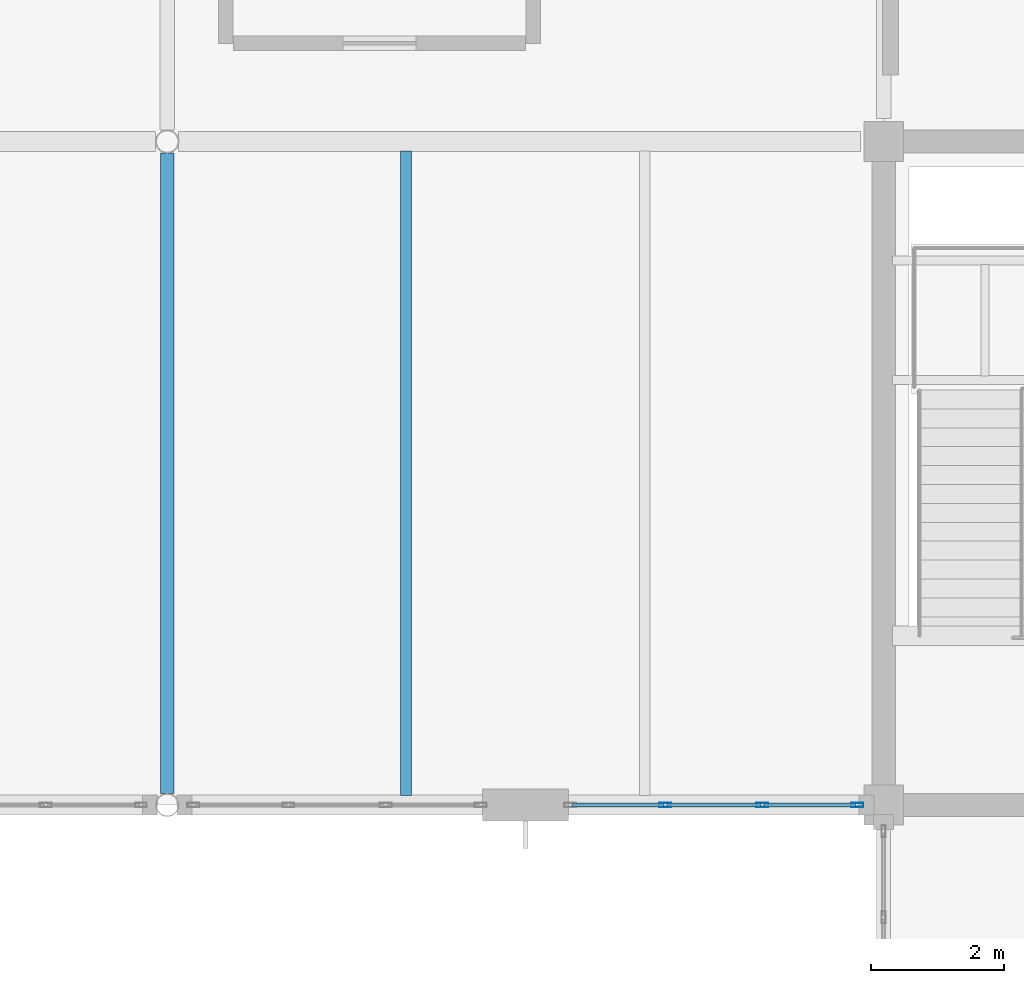
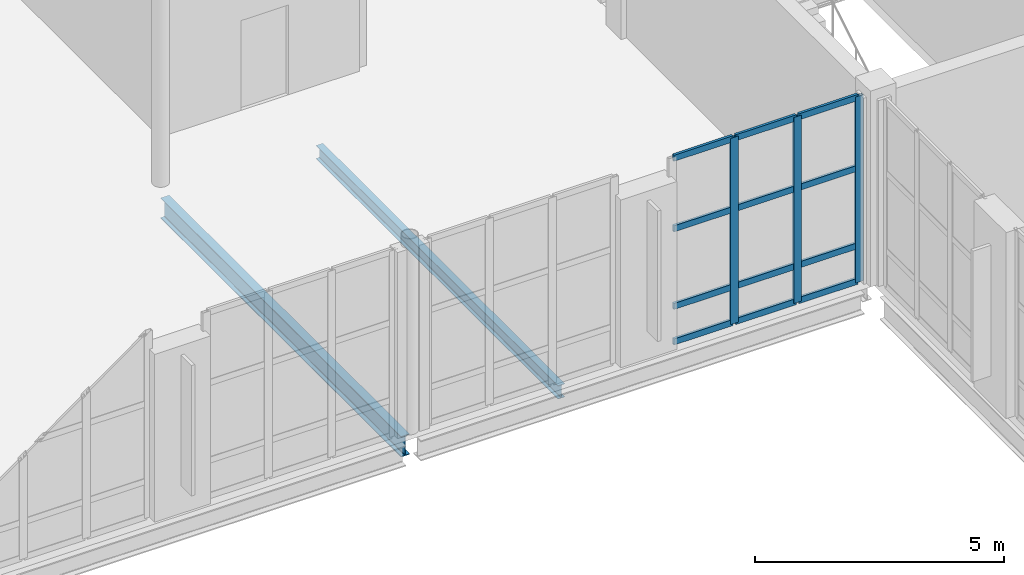
# One storey, part 34 of 100: 15 members, 2 beams, 1 element without a shape of its own.
"""IFC4 building model written with IfcOpenShell, lengths in metres."""

from ifc_helpers import new_model, si_unit, direction, frame, origin, origin_2d, place, context, subcontext, project, spatial, hollow_rectangle, i_section, extrude, material, layer, layer_set, material_profile, profile_set, type_object, element, aggregate, save


model = new_model("IFC4")

# Units and contexts
model_context = context("Model", 3, precision=1e-05, world=origin(), true_north=direction((0.0, 1.0)))
body_context = subcontext(model_context, "Body", "Model", "MODEL_VIEW")
ifc_project = project(units=[si_unit("LENGTHUNIT", "METRE"), si_unit("AREAUNIT", "SQUARE_METRE"), si_unit("VOLUMEUNIT", "CUBIC_METRE"), si_unit("PLANEANGLEUNIT", "RADIAN"), si_unit("MASSUNIT", "GRAM", prefix="KILO")], contexts=[model_context])

# Site, building, storey
site_placement = place(None, origin())
site = spatial("IfcSite", under=ifc_project, at=site_placement, CompositionType="ELEMENT")
building_placement = place(site_placement, origin())
building = spatial("IfcBuilding", under=site, at=building_placement, Name="Tasgan Crest Museum", CompositionType="ELEMENT")
storey_placement = place(building_placement, frame((0.0, 0.0, 9.60009765625)))
storey = spatial("IfcBuildingStorey", under=building, at=storey_placement, Name="L02", CompositionType="ELEMENT", Elevation=9.60009765625)

# Beams
ifc_material_1 = material(Name="Steel S355J2", Category="steel")
ifc_material_profile_1 = material_profile(ifc_material_1, i_section(OverallWidth=0.199951171875, OverallDepth=0.5, WebThickness=0.01025390625, FlangeThickness=0.01611328125, FilletRadius=0.02099609375, at=origin_2d()), Name="IPE 500")
ifc_profile_set_1 = profile_set([ifc_material_profile_1], Name="Steel S355J2")
beam_type_1 = type_object("IfcBeamType", Name="BM-G-IPE500", PredefinedType="BEAM", material=ifc_profile_set_1)
beam_1_placement = place(storey_placement, frame((97.199951171875, 40.1728515625, -0.489990234375), z_axis=(0.0, 1.0, 0.0), x_axis=(-1.0, 0.0, 0.0)))
element("IfcBeam", 1, at=beam_1_placement, inside=storey, type_object=beam_type_1, Name="Beam L02 10 40.0-50.0", PredefinedType="BEAM", context=body_context, shape_type="SweptSolid", body=[
    extrude(i_section(OverallWidth=0.199951171875, OverallDepth=0.5, WebThickness=0.01025390625, FlangeThickness=0.01611328125, FilletRadius=0.02099609375, at=origin_2d()), origin(), (0.0, 0.0, 1.0), 9.654296875),
])
ifc_material_2 = material(Name="Steel S355J2", Category="steel")
ifc_material_profile_2 = material_profile(ifc_material_2, i_section(OverallWidth=0.159912109375, OverallDepth=0.330078125, WebThickness=0.007568359375, FlangeThickness=0.011474609375, FilletRadius=0.01806640625, at=origin_2d()), Name="IPE 330")
ifc_profile_set_2 = profile_set([ifc_material_profile_2], Name="Steel S355J2")
beam_type_2 = type_object("IfcBeamType", Name="BM-J-IPE330", PredefinedType="JOIST", material=ifc_profile_set_2)
beam_2_placement = place(storey_placement, frame((100.800048828125, 40.14501953125, -0.405029296875), z_axis=(0.0, 1.0, 0.0), x_axis=(-1.0, 0.0, 0.0)))
element("IfcBeam", 2, at=beam_2_placement, inside=storey, type_object=beam_type_2, Name="Secondary joist L02 X=100.8 Y=40.0-50.0", PredefinedType="JOIST", context=body_context, shape_type="SweptSolid", body=[
    extrude(i_section(OverallWidth=0.159912109375, OverallDepth=0.330078125, WebThickness=0.007568359375, FlangeThickness=0.011474609375, FilletRadius=0.01806640625, at=origin_2d()), origin(), (0.0, 0.0, 1.0), 9.7099609375),
])

# Curtain wall, members
ifc_material_3 = material(Name="Triple-Glazed Aluminium Curtain Wall", Category="aluminium")
ifc_layer = layer(ifc_material_3, 0.179931640625, Name="CW-DRUM-X-48")
ifc_layer_set = layer_set([ifc_layer], Name="Triple-Glazed Aluminium Curtain Wall")
curtain_wall_type = type_object("IfcCurtainWallType", Name="CW-DRUM-X-48", PredefinedType="NOTDEFINED", material=ifc_layer_set)
curtain_wall_placement = place(storey_placement, origin())
curtain_wall = element("IfcCurtainWall", 3, at=curtain_wall_placement, inside=storey, type_object=curtain_wall_type, Name="Curtain wall L02 110", PredefinedType="NOTDEFINED")
ifc_material_4 = material(Name="Anodised Aluminium", Category="aluminium")
ifc_material_profile_3 = material_profile(ifc_material_4, hollow_rectangle(XDim=0.06494140625, YDim=0.179931640625, WallThickness=0.0048828125, at=origin_2d()), Name="ALU MULLION 180x65x5")
ifc_profile_set_3 = profile_set([ifc_material_profile_3], Name="Anodised Aluminium")
member_type_1 = type_object("IfcMemberType", Name="CW-MULLION-180", PredefinedType="MULLION", material=ifc_profile_set_3)
member_1_placement = place(storey_placement, frame((104.708251953125, 40.0, 0.0), z_axis=(0.0, 0.0, 1.0), x_axis=(0.0, 1.0, 0.0)))
member_1 = element("IfcMember", 4, at=member_1_placement, type_object=member_type_1, Name="CW03 mullion 2", PredefinedType="MULLION", context=body_context, shape_type="SweptSolid", body=[
    extrude(hollow_rectangle(XDim=0.06494140625, YDim=0.179931640625, WallThickness=0.0048828125, at=origin_2d()), origin(), (0.0, 0.0, 1.0), 4.559814453125),
])
member_2_placement = place(storey_placement, frame((106.171630859375, 40.0, 0.0), z_axis=(0.0, 0.0, 1.0), x_axis=(0.0, 1.0, 0.0)))
member_2 = element("IfcMember", 5, at=member_2_placement, type_object=member_type_1, Name="CW03 mullion 3", PredefinedType="MULLION", context=body_context, shape_type="SweptSolid", body=[
    extrude(hollow_rectangle(XDim=0.06494140625, YDim=0.179931640625, WallThickness=0.0048828125, at=origin_2d()), origin(), (0.0, 0.0, 1.0), 4.559814453125),
])
member_3_placement = place(storey_placement, frame((107.60498046875, 40.0, 0.0), z_axis=(0.0, 0.0, 1.0), x_axis=(0.0, 1.0, 0.0)))
member_3 = element("IfcMember", 6, at=member_3_placement, type_object=member_type_1, Name="CW03 mullion 4", PredefinedType="MULLION", context=body_context, shape_type="SweptSolid", body=[
    extrude(hollow_rectangle(XDim=0.06494140625, YDim=0.179931640625, WallThickness=0.0048828125, at=origin_2d()), origin(), (0.0, 0.0, 1.0), 4.559814453125),
])
ifc_material_5 = material(Name="Anodised Aluminium", Category="aluminium")
ifc_material_profile_4 = material_profile(ifc_material_5, hollow_rectangle(XDim=0.06005859375, YDim=0.14990234375, WallThickness=0.0048828125, at=origin_2d()), Name="ALU TRANSOM 150x60x5")
ifc_profile_set_4 = profile_set([ifc_material_profile_4], Name="Anodised Aluminium")
member_type_2 = type_object("IfcMemberType", Name="CW-TRANSOM-150", PredefinedType="USERDEFINED", material=ifc_profile_set_4)
member_4_placement = place(storey_placement, frame((103.304931640625, 40.0, 0.02978515625), z_axis=(1.0, 0.0, 0.0), x_axis=(0.0, 1.0, 0.0)))
member_4 = element("IfcMember", 7, at=member_4_placement, type_object=member_type_2, Name="CW03 transom 1.1", ObjectType="TRANSOM", PredefinedType="USERDEFINED", context=body_context, shape_type="SweptSolid", body=[
    extrude(hollow_rectangle(XDim=0.06005859375, YDim=0.14990234375, WallThickness=0.0048828125, at=origin_2d()), origin(), (0.0, 0.0, 1.0), 1.373291015625),
])
member_5_placement = place(storey_placement, frame((103.304931640625, 40.0, 0.89990234375), z_axis=(1.0, 0.0, 0.0), x_axis=(0.0, 1.0, 0.0)))
member_5 = element("IfcMember", 8, at=member_5_placement, type_object=member_type_2, Name="CW03 transom 1.2", ObjectType="TRANSOM", PredefinedType="USERDEFINED", context=body_context, shape_type="SweptSolid", body=[
    extrude(hollow_rectangle(XDim=0.06005859375, YDim=0.14990234375, WallThickness=0.0048828125, at=origin_2d()), origin(), (0.0, 0.0, 1.0), 1.373291015625),
])
member_6_placement = place(storey_placement, frame((103.304931640625, 40.0, 2.7998046875), z_axis=(1.0, 0.0, 0.0), x_axis=(0.0, 1.0, 0.0)))
member_6 = element("IfcMember", 9, at=member_6_placement, type_object=member_type_2, Name="CW03 transom 1.3", ObjectType="TRANSOM", PredefinedType="USERDEFINED", context=body_context, shape_type="SweptSolid", body=[
    extrude(hollow_rectangle(XDim=0.06005859375, YDim=0.14990234375, WallThickness=0.0048828125, at=origin_2d()), origin(), (0.0, 0.0, 1.0), 1.373291015625),
])
member_7_placement = place(storey_placement, frame((103.304931640625, 40.0, 4.52978515625), z_axis=(1.0, 0.0, 0.0), x_axis=(0.0, 1.0, 0.0)))
member_7 = element("IfcMember", 10, at=member_7_placement, type_object=member_type_2, Name="CW03 transom 1.4", ObjectType="TRANSOM", PredefinedType="USERDEFINED", context=body_context, shape_type="SweptSolid", body=[
    extrude(hollow_rectangle(XDim=0.06005859375, YDim=0.14990234375, WallThickness=0.0048828125, at=origin_2d()), origin(), (0.0, 0.0, 1.0), 1.373291015625),
])
member_8_placement = place(storey_placement, frame((104.73828125, 40.0, 0.02978515625), z_axis=(1.0, 0.0, 0.0), x_axis=(0.0, 1.0, 0.0)))
member_8 = element("IfcMember", 11, at=member_8_placement, type_object=member_type_2, Name="CW03 transom 2.1", ObjectType="TRANSOM", PredefinedType="USERDEFINED", context=body_context, shape_type="SweptSolid", body=[
    extrude(hollow_rectangle(XDim=0.06005859375, YDim=0.14990234375, WallThickness=0.0048828125, at=origin_2d()), origin(), (0.0, 0.0, 1.0), 1.4033203125),
])
member_9_placement = place(storey_placement, frame((104.73828125, 40.0, 0.89990234375), z_axis=(1.0, 0.0, 0.0), x_axis=(0.0, 1.0, 0.0)))
member_9 = element("IfcMember", 12, at=member_9_placement, type_object=member_type_2, Name="CW03 transom 2.2", ObjectType="TRANSOM", PredefinedType="USERDEFINED", context=body_context, shape_type="SweptSolid", body=[
    extrude(hollow_rectangle(XDim=0.06005859375, YDim=0.14990234375, WallThickness=0.0048828125, at=origin_2d()), origin(), (0.0, 0.0, 1.0), 1.4033203125),
])
member_10_placement = place(storey_placement, frame((104.73828125, 40.0, 2.7998046875), z_axis=(1.0, 0.0, 0.0), x_axis=(0.0, 1.0, 0.0)))
member_10 = element("IfcMember", 13, at=member_10_placement, type_object=member_type_2, Name="CW03 transom 2.3", ObjectType="TRANSOM", PredefinedType="USERDEFINED", context=body_context, shape_type="SweptSolid", body=[
    extrude(hollow_rectangle(XDim=0.06005859375, YDim=0.14990234375, WallThickness=0.0048828125, at=origin_2d()), origin(), (0.0, 0.0, 1.0), 1.4033203125),
])
member_11_placement = place(storey_placement, frame((104.73828125, 40.0, 4.52978515625), z_axis=(1.0, 0.0, 0.0), x_axis=(0.0, 1.0, 0.0)))
member_11 = element("IfcMember", 14, at=member_11_placement, type_object=member_type_2, Name="CW03 transom 2.4", ObjectType="TRANSOM", PredefinedType="USERDEFINED", context=body_context, shape_type="SweptSolid", body=[
    extrude(hollow_rectangle(XDim=0.06005859375, YDim=0.14990234375, WallThickness=0.0048828125, at=origin_2d()), origin(), (0.0, 0.0, 1.0), 1.4033203125),
])
member_12_placement = place(storey_placement, frame((106.20166015625, 40.0, 0.02978515625), z_axis=(1.0, 0.0, 0.0), x_axis=(0.0, 1.0, 0.0)))
member_12 = element("IfcMember", 15, at=member_12_placement, type_object=member_type_2, Name="CW03 transom 3.1", ObjectType="TRANSOM", PredefinedType="USERDEFINED", context=body_context, shape_type="SweptSolid", body=[
    extrude(hollow_rectangle(XDim=0.06005859375, YDim=0.14990234375, WallThickness=0.0048828125, at=origin_2d()), origin(), (0.0, 0.0, 1.0), 1.373291015625),
])
member_13_placement = place(storey_placement, frame((106.20166015625, 40.0, 0.89990234375), z_axis=(1.0, 0.0, 0.0), x_axis=(0.0, 1.0, 0.0)))
member_13 = element("IfcMember", 16, at=member_13_placement, type_object=member_type_2, Name="CW03 transom 3.2", ObjectType="TRANSOM", PredefinedType="USERDEFINED", context=body_context, shape_type="SweptSolid", body=[
    extrude(hollow_rectangle(XDim=0.06005859375, YDim=0.14990234375, WallThickness=0.0048828125, at=origin_2d()), origin(), (0.0, 0.0, 1.0), 1.373291015625),
])
member_14_placement = place(storey_placement, frame((106.20166015625, 40.0, 2.7998046875), z_axis=(1.0, 0.0, 0.0), x_axis=(0.0, 1.0, 0.0)))
member_14 = element("IfcMember", 17, at=member_14_placement, type_object=member_type_2, Name="CW03 transom 3.3", ObjectType="TRANSOM", PredefinedType="USERDEFINED", context=body_context, shape_type="SweptSolid", body=[
    extrude(hollow_rectangle(XDim=0.06005859375, YDim=0.14990234375, WallThickness=0.0048828125, at=origin_2d()), origin(), (0.0, 0.0, 1.0), 1.373291015625),
])
member_15_placement = place(storey_placement, frame((106.20166015625, 40.0, 4.52978515625), z_axis=(1.0, 0.0, 0.0), x_axis=(0.0, 1.0, 0.0)))
member_15 = element("IfcMember", 18, at=member_15_placement, type_object=member_type_2, Name="CW03 transom 3.4", ObjectType="TRANSOM", PredefinedType="USERDEFINED", context=body_context, shape_type="SweptSolid", body=[
    extrude(hollow_rectangle(XDim=0.06005859375, YDim=0.14990234375, WallThickness=0.0048828125, at=origin_2d()), origin(), (0.0, 0.0, 1.0), 1.373291015625),
])
aggregate(curtain_wall, [member_1, member_2, member_3, member_4, member_5, member_6, member_7, member_8, member_9, member_10, member_11, member_12, member_13, member_14, member_15])

save(model, "model.ifc")
